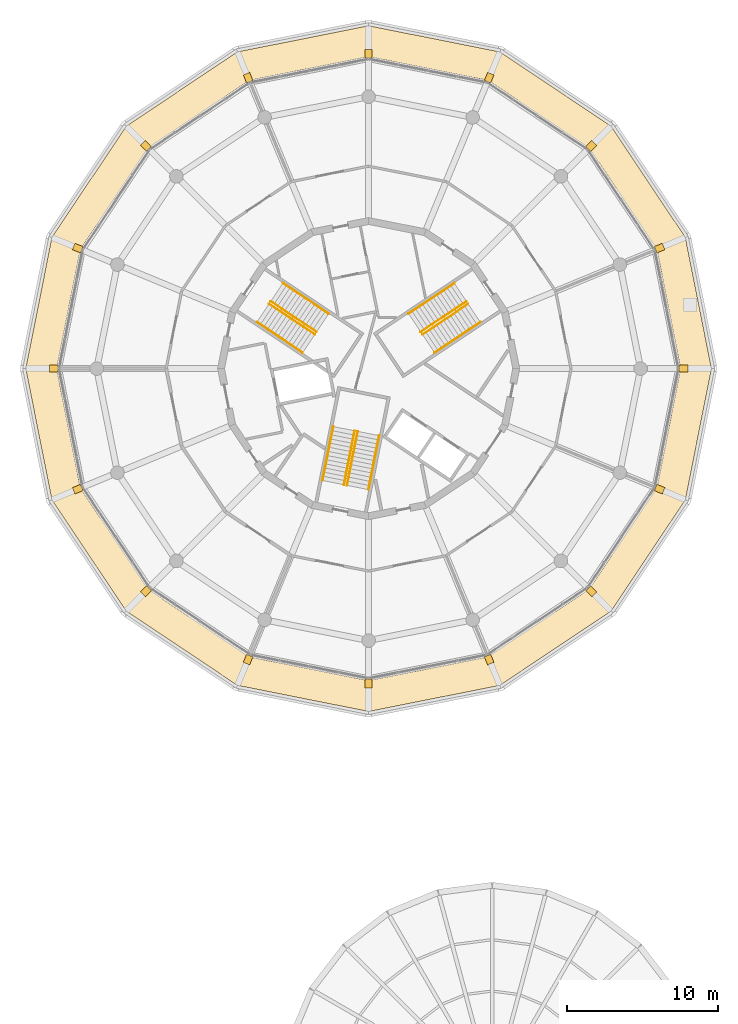
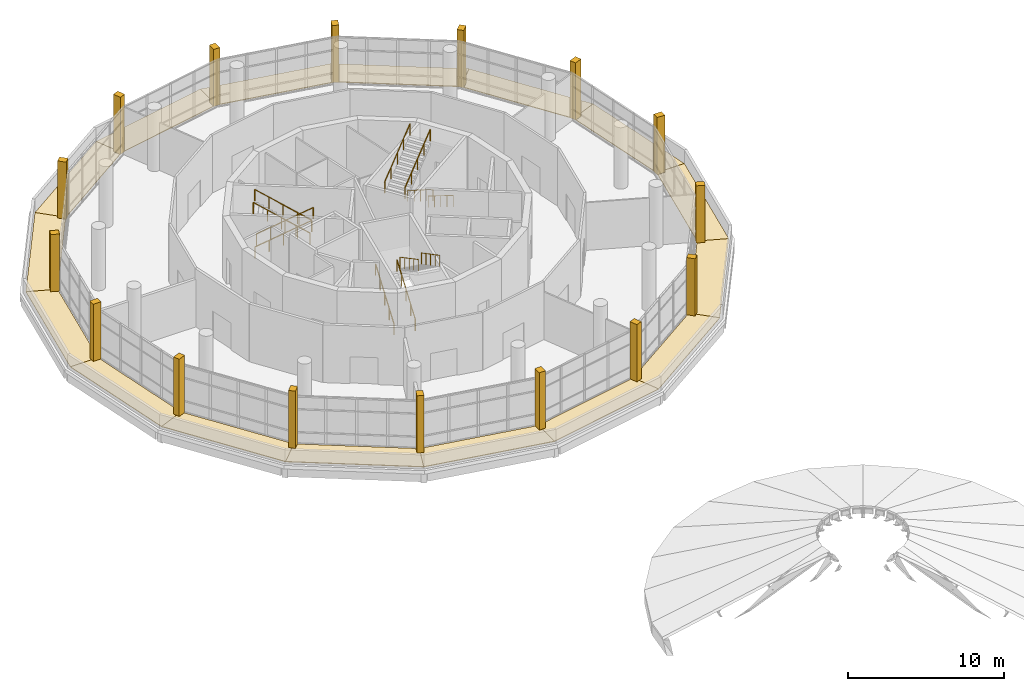
# One storey, part 21 of 21: 32 coverings, 12 railings.
"""IFC4 building model written with IfcOpenShell, lengths in metres."""

from ifc_helpers import new_model, si_unit, direction, frame, origin, origin_2d, place, context, subcontext, project, spatial, polyline, rectangle, circle, outline, extrude, material, layer, layer_set, type_object, element, save


model = new_model("IFC4")

# Units and contexts
model_context = context("Model", 3, precision=1e-05, world=origin(), true_north=direction((0.0, 1.0)))
body_context = subcontext(model_context, "Body", "Model", "MODEL_VIEW")
ifc_project = project(units=[si_unit("LENGTHUNIT", "METRE"), si_unit("AREAUNIT", "SQUARE_METRE"), si_unit("VOLUMEUNIT", "CUBIC_METRE"), si_unit("PLANEANGLEUNIT", "RADIAN"), si_unit("MASSUNIT", "GRAM", prefix="KILO")], contexts=[model_context])

# Site, building, storey
site_placement = place(None, origin())
site = spatial("IfcSite", under=ifc_project, at=site_placement, CompositionType="ELEMENT")
building_placement = place(site_placement, origin())
building = spatial("IfcBuilding", under=site, at=building_placement, Name="Ceibo Conservatory and Research Tower", CompositionType="ELEMENT")
storey_placement = place(building_placement, frame((0.0, 0.0, 15.60009765625)))
storey = spatial("IfcBuildingStorey", under=building, at=storey_placement, Name="L03", CompositionType="ELEMENT", Elevation=15.60009765625)

# Coverings
ifc_material_1 = material(Name="Concrete C35/45", Category="concrete")
covering_type_1 = type_object("IfcCoveringType", Name="Precast concrete pier 450x550", PredefinedType="CLADDING", material=ifc_material_1)
for number, where, z_axis, x_axis, name in (
    (1, (68.8466796875, 120.0, 0.0498046875), (0.0, 0.0, 1.0), (1.0, 0.0, 0.0), "Precast pier 03.01"),
    (2, (67.259765625, 127.9775390625, 0.0498046875), (0.0, 0.0, 1.0), (0.923879532511, 0.382683432365, 0.0), "Precast pier 03.02"),
    (3, (62.74072265625, 134.74072265625, 0.0498046875), (0.0, 0.0, 1.0), (0.707106781187, 0.707106781187, 0.0), "Precast pier 03.03"),
    (4, (55.9775390625, 139.259765625, 0.0498046875), (0.0, 0.0, 1.0), (0.382683432365, 0.923879532511, 0.0), "Precast pier 03.04"),
    (5, (48.0, 140.8466796875, 0.0498046875), (0.0, 0.0, 1.0), (0.0, 1.0, 0.0), "Precast pier 03.05"),
    (6, (40.0224609375, 139.259765625, 0.0498046875), (0.0, 0.0, 1.0), (-0.382683432365, 0.923879532511, 0.0), "Precast pier 03.06"),
    (7, (33.25927734375, 134.74072265625, 0.0498046875), (0.0, 0.0, 1.0), (-0.707106781187, 0.707106781187, 0.0), "Precast pier 03.07"),
    (8, (28.740234375, 127.9775390625, 0.0498046875), (0.0, 0.0, 1.0), (-0.923879532511, 0.382683432365, 0.0), "Precast pier 03.08"),
    (9, (27.1533203125, 120.0, 0.0498046875), (0.0, 0.0, 1.0), (-1.0, 0.0, 0.0), "Precast pier 03.09"),
    (10, (28.740234375, 112.0224609375, 0.0498046875), (0.0, 0.0, 1.0), (-0.923879532511, -0.382683432365, 0.0), "Precast pier 03.10"),
    (11, (33.25927734375, 105.25927734375, 0.0498046875), (0.0, 0.0, 1.0), (-0.707106781187, -0.707106781187, 0.0), "Precast pier 03.11"),
    (12, (40.0224609375, 100.740234375, 0.0498046875), (0.0, 0.0, 1.0), (-0.382683432365, -0.923879532511, 0.0), "Precast pier 03.12"),
    (13, (48.0, 99.1533203125, 0.0498046875), (0.0, 0.0, 1.0), (0.0, -1.0, 0.0), "Precast pier 03.13"),
    (14, (55.9775390625, 100.740234375, 0.0498046875), (0.0, 0.0, 1.0), (0.382683432365, -0.923879532511, 0.0), "Precast pier 03.14"),
    (15, (62.74072265625, 105.25927734375, 0.0498046875), (0.0, 0.0, 1.0), (0.707106781187, -0.707106781187, 0.0), "Precast pier 03.15"),
    (16, (67.259765625, 112.0224609375, 0.0498046875), (0.0, 0.0, 1.0), (0.923879532511, -0.382683432365, 0.0), "Precast pier 03.16"),
):
    element("IfcCovering", number, at=place(storey_placement, frame(where, z_axis=z_axis, x_axis=x_axis)), inside=storey, type_object=covering_type_1, Name=name, PredefinedType="CLADDING", context=body_context, shape_type="SweptSolid", body=[
        extrude(rectangle(XDim=0.570068359375, YDim=0.449951171875, at=origin_2d()), origin(), (0.0, 0.0, 1.0), 4.47021484375),
    ])
ifc_material_2 = material(Name="Bituminous membrane")
ifc_layer_1 = layer(ifc_material_2, 0.006103515625, Name="Cap sheet")
ifc_layer_2 = layer(ifc_material_2, 0.00390625, Name="Base sheet")
ifc_material_3 = material(Name="Rigid insulation")
ifc_layer_3 = layer(ifc_material_3, 0.0400390625, Name="Insulation")
ifc_layer_set = layer_set([ifc_layer_1, ifc_layer_2, ifc_layer_3], Name="Bituminous membrane")
covering_type_2 = type_object("IfcCoveringType", Name="Roofing membrane 50", PredefinedType="ROOFING", material=ifc_layer_set)
covering_1_placement = place(storey_placement, origin())
element("IfcCovering", 17, at=covering_1_placement, inside=storey, type_object=covering_type_2, Name="Roof covering L03 1", PredefinedType="ROOFING", context=body_context, shape_type="SweptSolid", body=[
    extrude(outline(polyline([(70.696044921875, 120.0), (68.968505859375, 128.685302734375), (67.080810546875, 127.903564453125), (68.65283203125, 120.0), (70.696044921875, 120.0)])), origin(), (0.0, 0.0, 1.0), 0.0498046875),
])
covering_2_placement = place(storey_placement, origin())
element("IfcCovering", 18, at=covering_2_placement, inside=storey, type_object=covering_type_2, Name="Roof covering L03 2", PredefinedType="ROOFING", context=body_context, shape_type="SweptSolid", body=[
    extrude(outline(polyline([(68.968505859375, 128.685302734375), (64.048583984375, 136.048583984375), (62.603759765625, 134.603759765625), (67.080810546875, 127.903564453125), (68.968505859375, 128.685302734375)])), origin(), (0.0, 0.0, 1.0), 0.0498046875),
])
covering_3_placement = place(storey_placement, origin())
element("IfcCovering", 19, at=covering_3_placement, inside=storey, type_object=covering_type_2, Name="Roof covering L03 3", PredefinedType="ROOFING", context=body_context, shape_type="SweptSolid", body=[
    extrude(outline(polyline([(64.048583984375, 136.048583984375), (56.685302734375, 140.968505859375), (55.903564453125, 139.080810546875), (62.603759765625, 134.603759765625), (64.048583984375, 136.048583984375)])), origin(), (0.0, 0.0, 1.0), 0.0498046875),
])
covering_4_placement = place(storey_placement, origin())
element("IfcCovering", 20, at=covering_4_placement, inside=storey, type_object=covering_type_2, Name="Roof covering L03 4", PredefinedType="ROOFING", context=body_context, shape_type="SweptSolid", body=[
    extrude(outline(polyline([(56.685302734375, 140.968505859375), (48.0, 142.696044921875), (48.0, 140.65283203125), (55.903564453125, 139.080810546875), (56.685302734375, 140.968505859375)])), origin(), (0.0, 0.0, 1.0), 0.0498046875),
])
covering_5_placement = place(storey_placement, origin())
element("IfcCovering", 21, at=covering_5_placement, inside=storey, type_object=covering_type_2, Name="Roof covering L03 5", PredefinedType="ROOFING", context=body_context, shape_type="SweptSolid", body=[
    extrude(outline(polyline([(48.0, 142.696044921875), (39.314697265625, 140.968505859375), (40.096435546875, 139.080810546875), (48.0, 140.65283203125), (48.0, 142.696044921875)])), origin(), (0.0, 0.0, 1.0), 0.0498046875),
])
covering_6_placement = place(storey_placement, origin())
element("IfcCovering", 22, at=covering_6_placement, inside=storey, type_object=covering_type_2, Name="Roof covering L03 6", PredefinedType="ROOFING", context=body_context, shape_type="SweptSolid", body=[
    extrude(outline(polyline([(39.314697265625, 140.968505859375), (31.951416015625, 136.048583984375), (33.396240234375, 134.603759765625), (40.096435546875, 139.080810546875), (39.314697265625, 140.968505859375)])), origin(), (0.0, 0.0, 1.0), 0.0498046875),
])
covering_7_placement = place(storey_placement, origin())
element("IfcCovering", 23, at=covering_7_placement, inside=storey, type_object=covering_type_2, Name="Roof covering L03 7", PredefinedType="ROOFING", context=body_context, shape_type="SweptSolid", body=[
    extrude(outline(polyline([(31.951416015625, 136.048583984375), (27.031494140625, 128.685302734375), (28.919189453125, 127.903564453125), (33.396240234375, 134.603759765625), (31.951416015625, 136.048583984375)])), origin(), (0.0, 0.0, 1.0), 0.0498046875),
])
covering_8_placement = place(storey_placement, origin())
element("IfcCovering", 24, at=covering_8_placement, inside=storey, type_object=covering_type_2, Name="Roof covering L03 8", PredefinedType="ROOFING", context=body_context, shape_type="SweptSolid", body=[
    extrude(outline(polyline([(27.031494140625, 128.685302734375), (25.303955078125, 120.0), (27.34716796875, 120.0), (28.919189453125, 127.903564453125), (27.031494140625, 128.685302734375)])), origin(), (0.0, 0.0, 1.0), 0.0498046875),
])
covering_9_placement = place(storey_placement, origin())
element("IfcCovering", 25, at=covering_9_placement, inside=storey, type_object=covering_type_2, Name="Roof covering L03 9", PredefinedType="ROOFING", context=body_context, shape_type="SweptSolid", body=[
    extrude(outline(polyline([(25.303955078125, 120.0), (27.031494140625, 111.314697265625), (28.919189453125, 112.096435546875), (27.34716796875, 120.0), (25.303955078125, 120.0)])), origin(), (0.0, 0.0, 1.0), 0.0498046875),
])
covering_10_placement = place(storey_placement, origin())
element("IfcCovering", 26, at=covering_10_placement, inside=storey, type_object=covering_type_2, Name="Roof covering L03 10", PredefinedType="ROOFING", context=body_context, shape_type="SweptSolid", body=[
    extrude(outline(polyline([(27.031494140625, 111.314697265625), (31.951416015625, 103.951416015625), (33.396240234375, 105.396240234375), (28.919189453125, 112.096435546875), (27.031494140625, 111.314697265625)])), origin(), (0.0, 0.0, 1.0), 0.0498046875),
])
covering_11_placement = place(storey_placement, origin())
element("IfcCovering", 27, at=covering_11_placement, inside=storey, type_object=covering_type_2, Name="Roof covering L03 11", PredefinedType="ROOFING", context=body_context, shape_type="SweptSolid", body=[
    extrude(outline(polyline([(31.951416015625, 103.951416015625), (39.314697265625, 99.031494140625), (40.096435546875, 100.919189453125), (33.396240234375, 105.396240234375), (31.951416015625, 103.951416015625)])), origin(), (0.0, 0.0, 1.0), 0.0498046875),
])
covering_12_placement = place(storey_placement, origin())
element("IfcCovering", 28, at=covering_12_placement, inside=storey, type_object=covering_type_2, Name="Roof covering L03 12", PredefinedType="ROOFING", context=body_context, shape_type="SweptSolid", body=[
    extrude(outline(polyline([(39.314697265625, 99.031494140625), (48.0, 97.303955078125), (48.0, 99.34716796875), (40.096435546875, 100.919189453125), (39.314697265625, 99.031494140625)])), origin(), (0.0, 0.0, 1.0), 0.0498046875),
])
covering_13_placement = place(storey_placement, origin())
element("IfcCovering", 29, at=covering_13_placement, inside=storey, type_object=covering_type_2, Name="Roof covering L03 13", PredefinedType="ROOFING", context=body_context, shape_type="SweptSolid", body=[
    extrude(outline(polyline([(48.0, 97.303955078125), (56.685302734375, 99.031494140625), (55.903564453125, 100.919189453125), (48.0, 99.34716796875), (48.0, 97.303955078125)])), origin(), (0.0, 0.0, 1.0), 0.0498046875),
])
covering_14_placement = place(storey_placement, origin())
element("IfcCovering", 30, at=covering_14_placement, inside=storey, type_object=covering_type_2, Name="Roof covering L03 14", PredefinedType="ROOFING", context=body_context, shape_type="SweptSolid", body=[
    extrude(outline(polyline([(56.685302734375, 99.031494140625), (64.048583984375, 103.951416015625), (62.603759765625, 105.396240234375), (55.903564453125, 100.919189453125), (56.685302734375, 99.031494140625)])), origin(), (0.0, 0.0, 1.0), 0.0498046875),
])
covering_15_placement = place(storey_placement, origin())
element("IfcCovering", 31, at=covering_15_placement, inside=storey, type_object=covering_type_2, Name="Roof covering L03 15", PredefinedType="ROOFING", context=body_context, shape_type="SweptSolid", body=[
    extrude(outline(polyline([(64.048583984375, 103.951416015625), (68.968505859375, 111.314697265625), (67.080810546875, 112.096435546875), (62.603759765625, 105.396240234375), (64.048583984375, 103.951416015625)])), origin(), (0.0, 0.0, 1.0), 0.0498046875),
])
covering_16_placement = place(storey_placement, origin())
element("IfcCovering", 32, at=covering_16_placement, inside=storey, type_object=covering_type_2, Name="Roof covering L03 16", PredefinedType="ROOFING", context=body_context, shape_type="SweptSolid", body=[
    extrude(outline(polyline([(68.968505859375, 111.314697265625), (70.696044921875, 120.0), (68.65283203125, 120.0), (67.080810546875, 112.096435546875), (68.968505859375, 111.314697265625)])), origin(), (0.0, 0.0, 1.0), 0.0498046875),
])

# Railings
ifc_material_4 = material(Name="Stainless steel AISI 316", Category="steel")
railing_type = type_object("IfcRailingType", Name="Stair handrail 900", PredefinedType="HANDRAIL", material=ifc_material_4)
railing_1_placement = place(storey_placement, frame((55.394287109375, 123.07763671875, 0.17138671875)))
element("IfcRailing", 33, at=railing_1_placement, inside=storey, type_object=railing_type, Name="Handrail ST1 03 1a", PredefinedType="HANDRAIL", context=body_context, shape_type="SweptSolid", body=[
    extrude(circle(Radius=0.02392578125, at=origin_2d()), frame((0.0, 0.0, 0.8759765625), z_axis=(-0.709136631982, -0.473806463073, 0.522142387411), x_axis=(0.555551194891, -0.831482332858, 0.0)), (0.0, 0.0, 1.0), 4.26806640625),
    extrude(circle(Radius=0.02099609375, at=origin_2d()), origin(), (0.0, 0.0, 1.0), 0.851806640625),
    extrude(circle(Radius=0.02099609375, at=origin_2d()), frame((-0.756591796875, -0.505615234375, 0.55712890625)), (0.0, 0.0, 1.0), 0.851806640625),
    extrude(circle(Radius=0.02099609375, at=origin_2d()), frame((-1.51318359375, -1.01123046875, 1.1142578125)), (0.0, 0.0, 1.0), 0.851806640625),
    extrude(circle(Radius=0.02099609375, at=origin_2d()), frame((-2.27001953125, -1.5166015625, 1.67138671875)), (0.0, 0.0, 1.0), 0.851806640625),
    extrude(circle(Radius=0.02099609375, at=origin_2d()), frame((-3.026611328125, -2.022216796875, 2.228515625)), (0.0, 0.0, 1.0), 0.851806640625),
])
railing_2_placement = place(storey_placement, frame((54.589599609375, 124.28173828125, 0.17138671875)))
element("IfcRailing", 34, at=railing_2_placement, inside=storey, type_object=railing_type, Name="Handrail ST1 03 1b", PredefinedType="HANDRAIL", context=body_context, shape_type="SweptSolid", body=[
    extrude(circle(Radius=0.02392578125, at=origin_2d()), frame((0.0, 0.0, 0.8759765625), z_axis=(-0.709088972795, -0.473870042807, 0.522149414623), x_axis=(0.555628546784, -0.831430645333, 0.0)), (0.0, 0.0, 1.0), 4.26806640625),
    extrude(circle(Radius=0.02099609375, at=origin_2d()), origin(), (0.0, 0.0, 1.0), 0.851806640625),
    extrude(circle(Radius=0.02099609375, at=origin_2d()), frame((-0.756591796875, -0.505615234375, 0.55712890625)), (0.0, 0.0, 1.0), 0.851806640625),
    extrude(circle(Radius=0.02099609375, at=origin_2d()), frame((-1.51318359375, -1.01123046875, 1.1142578125)), (0.0, 0.0, 1.0), 0.851806640625),
    extrude(circle(Radius=0.02099609375, at=origin_2d()), frame((-2.269775390625, -1.516845703125, 1.67138671875)), (0.0, 0.0, 1.0), 0.851806640625),
    extrude(circle(Radius=0.02099609375, at=origin_2d()), frame((-3.0263671875, -2.0224609375, 2.228515625)), (0.0, 0.0, 1.0), 0.851806640625),
])
railing_3_placement = place(storey_placement, frame((50.646240234375, 123.63134765625, 2.5712890625)))
element("IfcRailing", 35, at=railing_3_placement, inside=storey, type_object=railing_type, Name="Handrail ST1 03 2a", PredefinedType="HANDRAIL", context=body_context, shape_type="SweptSolid", body=[
    extrude(circle(Radius=0.02392578125, at=origin_2d()), frame((0.0, 0.0, 0.8759765625), z_axis=(0.709136631982, 0.473806463073, 0.522142387411), x_axis=(-0.555551194891, 0.831482332858, 0.0)), (0.0, 0.0, 1.0), 4.26806640625),
    extrude(circle(Radius=0.02099609375, at=origin_2d()), origin(), (0.0, 0.0, 1.0), 0.851806640625),
    extrude(circle(Radius=0.02099609375, at=origin_2d()), frame((0.756591796875, 0.505615234375, 0.55712890625)), (0.0, 0.0, 1.0), 0.851806640625),
    extrude(circle(Radius=0.02099609375, at=origin_2d()), frame((1.51318359375, 1.01123046875, 1.1142578125)), (0.0, 0.0, 1.0), 0.851806640625),
    extrude(circle(Radius=0.02099609375, at=origin_2d()), frame((2.27001953125, 1.5166015625, 1.67138671875)), (0.0, 0.0, 1.0), 0.851806640625),
    extrude(circle(Radius=0.02099609375, at=origin_2d()), frame((3.026611328125, 2.022216796875, 2.228515625)), (0.0, 0.0, 1.0), 0.851806640625),
])
railing_4_placement = place(storey_placement, frame((51.450927734375, 122.42724609375, 2.5712890625)))
element("IfcRailing", 36, at=railing_4_placement, inside=storey, type_object=railing_type, Name="Handrail ST1 03 2b", PredefinedType="HANDRAIL", context=body_context, shape_type="SweptSolid", body=[
    extrude(circle(Radius=0.02392578125, at=origin_2d()), frame((0.0, 0.0, 0.8759765625), z_axis=(0.709088972795, 0.473870042807, 0.522149414623), x_axis=(-0.555628546784, 0.831430645333, 0.0)), (0.0, 0.0, 1.0), 4.26806640625),
    extrude(circle(Radius=0.02099609375, at=origin_2d()), origin(), (0.0, 0.0, 1.0), 0.851806640625),
    extrude(circle(Radius=0.02099609375, at=origin_2d()), frame((0.756591796875, 0.505615234375, 0.55712890625)), (0.0, 0.0, 1.0), 0.851806640625),
    extrude(circle(Radius=0.02099609375, at=origin_2d()), frame((1.51318359375, 1.01123046875, 1.1142578125)), (0.0, 0.0, 1.0), 0.851806640625),
    extrude(circle(Radius=0.02099609375, at=origin_2d()), frame((2.269775390625, 1.516845703125, 1.67138671875)), (0.0, 0.0, 1.0), 0.851806640625),
    extrude(circle(Radius=0.02099609375, at=origin_2d()), frame((3.0263671875, 2.0224609375, 2.228515625)), (0.0, 0.0, 1.0), 0.851806640625),
])
railing_5_placement = place(storey_placement, frame((42.3271484375, 125.653564453125, 0.17138671875)))
element("IfcRailing", 37, at=railing_5_placement, inside=storey, type_object=railing_type, Name="Handrail ST2 03 1a", PredefinedType="HANDRAIL", context=body_context, shape_type="SweptSolid", body=[
    extrude(circle(Radius=0.02392578125, at=origin_2d()), frame((0.0, 0.0, 0.8759765625), z_axis=(0.709088972795, -0.473870042807, 0.522149414623), x_axis=(0.555628546784, 0.831430645333, 0.0)), (0.0, 0.0, 1.0), 4.26806640625),
    extrude(circle(Radius=0.02099609375, at=origin_2d()), origin(), (0.0, 0.0, 1.0), 0.851806640625),
    extrude(circle(Radius=0.02099609375, at=origin_2d()), frame((0.756591796875, -0.505615234375, 0.55712890625)), (0.0, 0.0, 1.0), 0.851806640625),
    extrude(circle(Radius=0.02099609375, at=origin_2d()), frame((1.51318359375, -1.01123046875, 1.1142578125)), (0.0, 0.0, 1.0), 0.851806640625),
    extrude(circle(Radius=0.02099609375, at=origin_2d()), frame((2.269775390625, -1.516845703125, 1.67138671875)), (0.0, 0.0, 1.0), 0.851806640625),
    extrude(circle(Radius=0.02099609375, at=origin_2d()), frame((3.0263671875, -2.0224609375, 2.228515625)), (0.0, 0.0, 1.0), 0.851806640625),
])
railing_6_placement = place(storey_placement, frame((41.5224609375, 124.449462890625, 0.17138671875)))
element("IfcRailing", 38, at=railing_6_placement, inside=storey, type_object=railing_type, Name="Handrail ST2 03 1b", PredefinedType="HANDRAIL", context=body_context, shape_type="SweptSolid", body=[
    extrude(circle(Radius=0.02392578125, at=origin_2d()), frame((0.0, 0.0, 0.8759765625), z_axis=(0.709136631982, -0.473806463073, 0.522142387411), x_axis=(0.555551194891, 0.831482332858, 0.0)), (0.0, 0.0, 1.0), 4.26806640625),
    extrude(circle(Radius=0.02099609375, at=origin_2d()), origin(), (0.0, 0.0, 1.0), 0.851806640625),
    extrude(circle(Radius=0.02099609375, at=origin_2d()), frame((0.756591796875, -0.505615234375, 0.55712890625)), (0.0, 0.0, 1.0), 0.851806640625),
    extrude(circle(Radius=0.02099609375, at=origin_2d()), frame((1.51318359375, -1.01123046875, 1.1142578125)), (0.0, 0.0, 1.0), 0.851806640625),
    extrude(circle(Radius=0.02099609375, at=origin_2d()), frame((2.27001953125, -1.5166015625, 1.67138671875)), (0.0, 0.0, 1.0), 0.851806640625),
    extrude(circle(Radius=0.02099609375, at=origin_2d()), frame((3.026611328125, -2.022216796875, 2.228515625)), (0.0, 0.0, 1.0), 0.851806640625),
])
railing_7_placement = place(storey_placement, frame((43.63232421875, 121.055419921875, 2.5712890625)))
element("IfcRailing", 39, at=railing_7_placement, inside=storey, type_object=railing_type, Name="Handrail ST2 03 2a", PredefinedType="HANDRAIL", context=body_context, shape_type="SweptSolid", body=[
    extrude(circle(Radius=0.02392578125, at=origin_2d()), frame((0.0, 0.0, 0.8759765625), z_axis=(-0.709088972795, 0.473870042807, 0.522149414623), x_axis=(-0.555628546784, -0.831430645333, 0.0)), (0.0, 0.0, 1.0), 4.26806640625),
    extrude(circle(Radius=0.02099609375, at=origin_2d()), origin(), (0.0, 0.0, 1.0), 0.851806640625),
    extrude(circle(Radius=0.02099609375, at=origin_2d()), frame((-0.756591796875, 0.505615234375, 0.55712890625)), (0.0, 0.0, 1.0), 0.851806640625),
    extrude(circle(Radius=0.02099609375, at=origin_2d()), frame((-1.51318359375, 1.01123046875, 1.1142578125)), (0.0, 0.0, 1.0), 0.851806640625),
    extrude(circle(Radius=0.02099609375, at=origin_2d()), frame((-2.269775390625, 1.516845703125, 1.67138671875)), (0.0, 0.0, 1.0), 0.851806640625),
    extrude(circle(Radius=0.02099609375, at=origin_2d()), frame((-3.0263671875, 2.0224609375, 2.228515625)), (0.0, 0.0, 1.0), 0.851806640625),
])
railing_8_placement = place(storey_placement, frame((44.43701171875, 122.259521484375, 2.5712890625)))
element("IfcRailing", 40, at=railing_8_placement, inside=storey, type_object=railing_type, Name="Handrail ST2 03 2b", PredefinedType="HANDRAIL", context=body_context, shape_type="SweptSolid", body=[
    extrude(circle(Radius=0.02392578125, at=origin_2d()), frame((0.0, 0.0, 0.8759765625), z_axis=(-0.709136631982, 0.473806463073, 0.522142387411), x_axis=(-0.555551194891, -0.831482332858, 0.0)), (0.0, 0.0, 1.0), 4.26806640625),
    extrude(circle(Radius=0.02099609375, at=origin_2d()), origin(), (0.0, 0.0, 1.0), 0.851806640625),
    extrude(circle(Radius=0.02099609375, at=origin_2d()), frame((-0.756591796875, 0.505615234375, 0.55712890625)), (0.0, 0.0, 1.0), 0.851806640625),
    extrude(circle(Radius=0.02099609375, at=origin_2d()), frame((-1.51318359375, 1.01123046875, 1.1142578125)), (0.0, 0.0, 1.0), 0.851806640625),
    extrude(circle(Radius=0.02099609375, at=origin_2d()), frame((-2.27001953125, 1.5166015625, 1.67138671875)), (0.0, 0.0, 1.0), 0.851806640625),
    extrude(circle(Radius=0.02099609375, at=origin_2d()), frame((-3.026611328125, 2.022216796875, 2.228515625)), (0.0, 0.0, 1.0), 0.851806640625),
])
railing_9_placement = place(storey_placement, frame((44.94775390625, 112.595458984375, 0.17138671875)))
element("IfcRailing", 41, at=railing_9_placement, inside=storey, type_object=railing_type, Name="Handrail ST3 03 1a", PredefinedType="HANDRAIL", context=body_context, shape_type="SweptSolid", body=[
    extrude(circle(Radius=0.02392578125, at=origin_2d()), frame((0.0, 0.0, 0.8759765625), z_axis=(0.166401230899, 0.836467926931, 0.522141779185), x_axis=(-0.980781373022, 0.195109964721, 0.0)), (0.0, 0.0, 1.0), 4.26806640625),
    extrude(circle(Radius=0.02099609375, at=origin_2d()), origin(), (0.0, 0.0, 1.0), 0.851806640625),
    extrude(circle(Radius=0.02099609375, at=origin_2d()), frame((0.177490234375, 0.892578125, 0.55712890625)), (0.0, 0.0, 1.0), 0.851806640625),
    extrude(circle(Radius=0.02099609375, at=origin_2d()), frame((0.35498046875, 1.78515625, 1.1142578125)), (0.0, 0.0, 1.0), 0.851806640625),
    extrude(circle(Radius=0.02099609375, at=origin_2d()), frame((0.53271484375, 2.677490234375, 1.67138671875)), (0.0, 0.0, 1.0), 0.851806640625),
    extrude(circle(Radius=0.02099609375, at=origin_2d()), frame((0.710205078125, 3.570068359375, 2.228515625)), (0.0, 0.0, 1.0), 0.851806640625),
])
railing_10_placement = place(storey_placement, frame((46.3681640625, 112.312744140625, 0.17138671875)))
element("IfcRailing", 42, at=railing_10_placement, inside=storey, type_object=railing_type, Name="Handrail ST3 03 1b", PredefinedType="HANDRAIL", context=body_context, shape_type="SweptSolid", body=[
    extrude(circle(Radius=0.02392578125, at=origin_2d()), frame((0.0, 0.0, 0.8759765625), z_axis=(0.166345611788, 0.836475887611, 0.522146748418), x_axis=(-0.980794205817, 0.195045445566, 0.0)), (0.0, 0.0, 1.0), 4.26806640625),
    extrude(circle(Radius=0.02099609375, at=origin_2d()), origin(), (0.0, 0.0, 1.0), 0.851806640625),
    extrude(circle(Radius=0.02099609375, at=origin_2d()), frame((0.177490234375, 0.892578125, 0.55712890625)), (0.0, 0.0, 1.0), 0.851806640625),
    extrude(circle(Radius=0.02099609375, at=origin_2d()), frame((0.35498046875, 1.78515625, 1.1142578125)), (0.0, 0.0, 1.0), 0.851806640625),
    extrude(circle(Radius=0.02099609375, at=origin_2d()), frame((0.532470703125, 2.677490234375, 1.67138671875)), (0.0, 0.0, 1.0), 0.851806640625),
    extrude(circle(Radius=0.02099609375, at=origin_2d()), frame((0.7099609375, 3.570068359375, 2.228515625)), (0.0, 0.0, 1.0), 0.851806640625),
])
railing_11_placement = place(storey_placement, frame((48.696533203125, 115.560791015625, 2.5712890625)))
element("IfcRailing", 43, at=railing_11_placement, inside=storey, type_object=railing_type, Name="Handrail ST3 03 2a", PredefinedType="HANDRAIL", context=body_context, shape_type="SweptSolid", body=[
    extrude(circle(Radius=0.02392578125, at=origin_2d()), frame((0.0, 0.0, 0.8759765625), z_axis=(-0.166401230899, -0.836467926931, 0.522141779185), x_axis=(0.980781373022, -0.195109964721, 0.0)), (0.0, 0.0, 1.0), 4.26806640625),
    extrude(circle(Radius=0.02099609375, at=origin_2d()), origin(), (0.0, 0.0, 1.0), 0.851806640625),
    extrude(circle(Radius=0.02099609375, at=origin_2d()), frame((-0.177490234375, -0.892578125, 0.55712890625)), (0.0, 0.0, 1.0), 0.851806640625),
    extrude(circle(Radius=0.02099609375, at=origin_2d()), frame((-0.35498046875, -1.78515625, 1.1142578125)), (0.0, 0.0, 1.0), 0.851806640625),
    extrude(circle(Radius=0.02099609375, at=origin_2d()), frame((-0.53271484375, -2.677490234375, 1.67138671875)), (0.0, 0.0, 1.0), 0.851806640625),
    extrude(circle(Radius=0.02099609375, at=origin_2d()), frame((-0.710205078125, -3.570068359375, 2.228515625)), (0.0, 0.0, 1.0), 0.851806640625),
])
railing_12_placement = place(storey_placement, frame((47.276123046875, 115.843505859375, 2.5712890625)))
element("IfcRailing", 44, at=railing_12_placement, inside=storey, type_object=railing_type, Name="Handrail ST3 03 2b", PredefinedType="HANDRAIL", context=body_context, shape_type="SweptSolid", body=[
    extrude(circle(Radius=0.02392578125, at=origin_2d()), frame((0.0, 0.0, 0.8759765625), z_axis=(-0.166345611788, -0.836475887611, 0.522146748418), x_axis=(0.980794205817, -0.195045445566, 0.0)), (0.0, 0.0, 1.0), 4.26806640625),
    extrude(circle(Radius=0.02099609375, at=origin_2d()), origin(), (0.0, 0.0, 1.0), 0.851806640625),
    extrude(circle(Radius=0.02099609375, at=origin_2d()), frame((-0.177490234375, -0.892578125, 0.55712890625)), (0.0, 0.0, 1.0), 0.851806640625),
    extrude(circle(Radius=0.02099609375, at=origin_2d()), frame((-0.35498046875, -1.78515625, 1.1142578125)), (0.0, 0.0, 1.0), 0.851806640625),
    extrude(circle(Radius=0.02099609375, at=origin_2d()), frame((-0.532470703125, -2.677490234375, 1.67138671875)), (0.0, 0.0, 1.0), 0.851806640625),
    extrude(circle(Radius=0.02099609375, at=origin_2d()), frame((-0.7099609375, -3.570068359375, 2.228515625)), (0.0, 0.0, 1.0), 0.851806640625),
])

save(model, "model.ifc")
